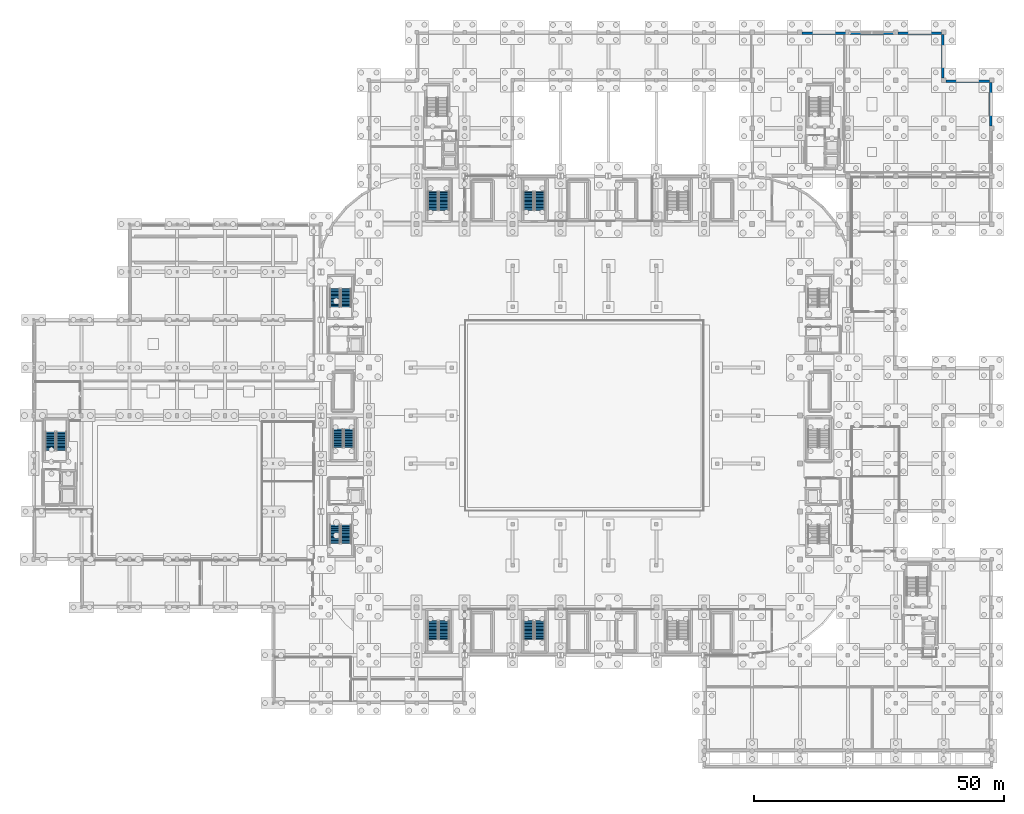
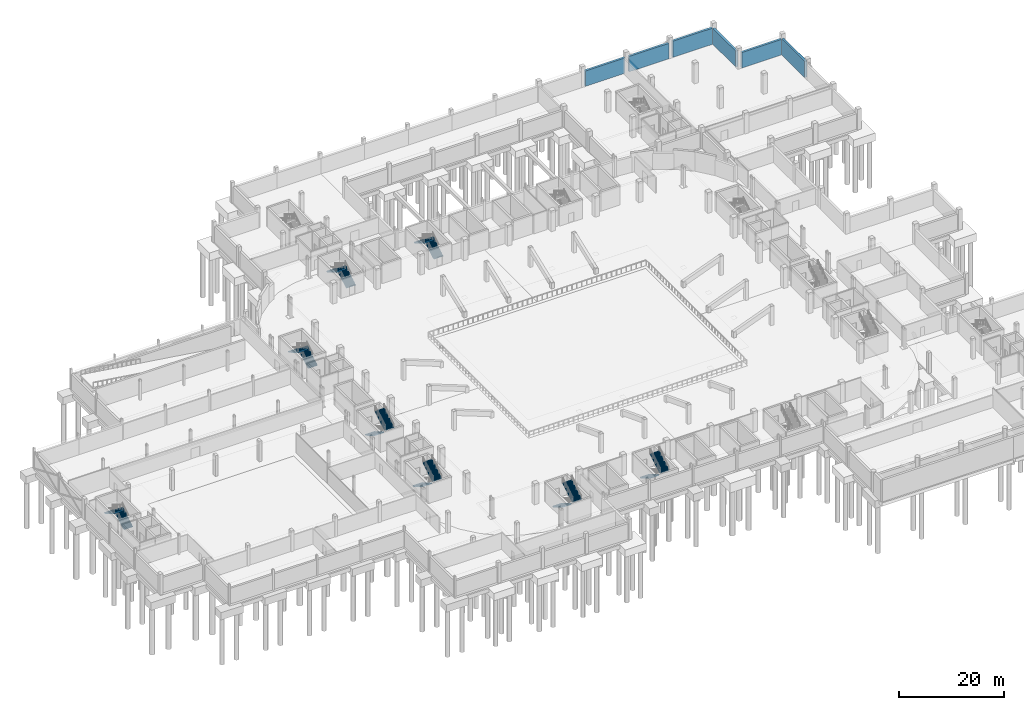
# One storey, part 37 of 67: 16 stair flights, 6 walls, 8 elements without a shape of their own.
"""IFC4 building model written with IfcOpenShell, lengths in metres."""

from ifc_helpers import new_model, si_unit, direction, frame, frame_2d, origin, place, context, subcontext, project, spatial, polyline, rectangle, outline, extrude, material, layer, layer_set, type_object, element, aggregate, save


model = new_model("IFC4")

# Units and contexts
model_context = context("Model", 3, precision=1e-05, world=origin(), true_north=direction((0.0, 1.0)))
body_context = subcontext(model_context, "Body", "Model", "MODEL_VIEW")
ifc_project = project(units=[si_unit("LENGTHUNIT", "METRE"), si_unit("AREAUNIT", "SQUARE_METRE"), si_unit("VOLUMEUNIT", "CUBIC_METRE"), si_unit("PLANEANGLEUNIT", "RADIAN"), si_unit("MASSUNIT", "GRAM", prefix="KILO")], contexts=[model_context])

# Site, building, storey
site_placement = place(None, origin())
site = spatial("IfcSite", under=ifc_project, at=site_placement, CompositionType="ELEMENT")
building_placement = place(site_placement, origin())
building = spatial("IfcBuilding", under=site, at=building_placement, Name="Caelomonte Colonnade Arena", CompositionType="ELEMENT")
storey_placement = place(building_placement, frame((0.0, 0.0, -4.800048828125)))
storey = spatial("IfcBuildingStorey", under=building, at=storey_placement, Name="B1", CompositionType="ELEMENT", Elevation=-4.800048828125)

# Walls
ifc_material = material(Name="Concrete C40/50", Category="concrete")
ifc_layer = layer(ifc_material, 0.47998046875)
ifc_layer_set = layer_set([ifc_layer], Name="Concrete C40/50")
wall_type = type_object("IfcWallType", Name="ENV-WL-RET48", PredefinedType="USERDEFINED", material=ifc_layer_set)
wall_1_placement = place(storey_placement, frame((191.820068359375, 125.22998046875, 0.0), z_axis=(0.0, 0.0, 1.0), x_axis=(0.0, 1.0, 0.0)))
element("IfcWall", 1, at=wall_1_placement, inside=storey, type_object=wall_type, Name="B1 exterior retaining plinth wall EW-B1-0046", ObjectType="RETAINING WALL", PredefinedType="USERDEFINED", context=body_context, shape_type="SweptSolid", body=[
    extrude(rectangle(XDim=8.739990234375, YDim=0.47998046875, at=frame_2d((4.3701171875, 0.0))), origin(), (0.0, 0.0, 1.0), 3.75),
])
wall_2_placement = place(storey_placement, frame((191.570068359375, 134.219970703125, 0.0), z_axis=(0.0, 0.0, 1.0), x_axis=(-1.0, 0.0, 0.0)))
element("IfcWall", 2, at=wall_2_placement, inside=storey, type_object=wall_type, Name="B1 exterior retaining plinth wall EW-B1-0047", ObjectType="RETAINING WALL", PredefinedType="USERDEFINED", context=body_context, shape_type="SweptSolid", body=[
    extrude(rectangle(XDim=8.739990234375, YDim=0.47998046875, at=frame_2d((4.3701171875, 0.0))), origin(), (0.0, 0.0, 1.0), 3.60009765625),
])
wall_3_placement = place(storey_placement, frame((182.219970703125, 134.830078125, 0.0), z_axis=(0.0, 0.0, 1.0), x_axis=(0.0, 1.0, 0.0)))
element("IfcWall", 3, at=wall_3_placement, inside=storey, type_object=wall_type, Name="B1 exterior retaining plinth wall EW-B1-0048", ObjectType="RETAINING WALL", PredefinedType="USERDEFINED", context=body_context, shape_type="SweptSolid", body=[
    extrude(rectangle(XDim=8.739990234375, YDim=0.47998046875, at=frame_2d((4.3701171875, 0.0))), origin(), (0.0, 0.0, 1.0), 3.699951171875),
])
wall_4_placement = place(storey_placement, frame((181.969970703125, 143.820068359375, 0.0), z_axis=(0.0, 0.0, 1.0), x_axis=(-1.0, 0.0, 0.0)))
element("IfcWall", 4, at=wall_4_placement, inside=storey, type_object=wall_type, Name="B1 exterior retaining plinth wall EW-B1-0049", ObjectType="RETAINING WALL", PredefinedType="USERDEFINED", context=body_context, shape_type="SweptSolid", body=[
    extrude(rectangle(XDim=8.739990234375, YDim=0.47998046875, at=frame_2d((4.3701171875, 0.0))), origin(), (0.0, 0.0, 1.0), 3.75),
])
wall_5_placement = place(storey_placement, frame((172.3701171875, 143.820068359375, 0.0), z_axis=(0.0, 0.0, 1.0), x_axis=(-1.0, 0.0, 0.0)))
element("IfcWall", 5, at=wall_5_placement, inside=storey, type_object=wall_type, Name="B1 exterior retaining plinth wall EW-B1-0050", ObjectType="RETAINING WALL", PredefinedType="USERDEFINED", context=body_context, shape_type="SweptSolid", body=[
    extrude(rectangle(XDim=8.740234375, YDim=0.47998046875, at=frame_2d((4.3701171875, 0.0))), origin(), (0.0, 0.0, 1.0), 3.572998046875),
])
wall_6_placement = place(storey_placement, frame((162.77001953125, 143.820068359375, 0.0), z_axis=(0.0, 0.0, 1.0), x_axis=(-1.0, 0.0, 0.0)))
element("IfcWall", 6, at=wall_6_placement, inside=storey, type_object=wall_type, Name="B1 exterior retaining plinth wall EW-B1-0051", ObjectType="RETAINING WALL", PredefinedType="USERDEFINED", context=body_context, shape_type="SweptSolid", body=[
    extrude(rectangle(XDim=8.739990234375, YDim=0.47998046875, at=frame_2d((4.3701171875, 0.0))), origin(), (0.0, 0.0, 1.0), 3.572998046875),
])

# Stair, stair flights
stair_type_1 = type_object("IfcStairType", Name="INT-ST-CORE48", PredefinedType="HALF_TURN_STAIR", material=ifc_material)
stair_1_placement = place(storey_placement, origin())
stair_1 = element("IfcStair", 7, at=stair_1_placement, inside=storey, type_object=stair_type_1, Name="B1 Protected exit stair ST-09", PredefinedType="HALF_TURN_STAIR")
stair_flight_type_1 = type_object("IfcStairFlightType", Name="INT-SF-CORE48", PredefinedType="STRAIGHT", material=ifc_material)
stair_flight_1_placement = place(storey_placement, frame((61.02490234375, 64.5, 0.0), z_axis=(0.0, 0.0, 1.0), x_axis=(0.0, -1.0, 0.0)))
stair_flight_1 = element("IfcStairFlight", 8, at=stair_flight_1_placement, type_object=stair_flight_type_1, Name="ST-09 flight 1", NumberOfRisers=14, NumberOfTreads=13, PredefinedType="STRAIGHT", RiserHeight=0.171428571, TreadLength=0.285, context=body_context, shape_type="SweptSolid", body=[
    extrude(outline(polyline([(-0.02490234375, 0.0), (-0.02490234375, 0.102783203125), (0.0, 0.102783203125), (0.0, 0.17138671875), (0.284912109375, 0.17138671875), (0.284912109375, 0.3427734375), (0.570068359375, 0.3427734375), (0.570068359375, 0.514404296875), (0.85498046875, 0.514404296875), (0.85498046875, 0.685791015625), (1.139892578125, 0.685791015625), (1.139892578125, 0.857177734375), (1.425048828125, 0.857177734375), (1.425048828125, 1.028564453125), (1.7099609375, 1.028564453125), (1.7099609375, 1.199951171875), (1.9951171875, 1.199951171875), (1.9951171875, 1.371337890625), (2.280029296875, 1.371337890625), (2.280029296875, 1.54296875), (2.56494140625, 1.54296875), (2.56494140625, 1.71435546875), (2.85009765625, 1.71435546875), (2.85009765625, 1.8857421875), (3.135009765625, 1.8857421875), (3.135009765625, 2.05712890625), (3.419921875, 2.05712890625), (3.419921875, 2.228515625), (3.705078125, 2.228515625), (3.705078125, 2.39990234375), (3.72998046875, 2.39990234375), (3.72998046875, 2.0537109375), (0.290771484375, 0.0), (-0.02490234375, 0.0)])), frame((0.0, 1.02490234375, 0.0), z_axis=(0.0, -1.0, 0.0), x_axis=(1.0, 0.0, 0.0)), (0.0, 0.0, 1.0), 2.050048828125),
])
stair_flight_2_placement = place(storey_placement, frame((63.27490234375, 60.794921875, 2.400146484375), z_axis=(0.0, 0.0, 1.0), x_axis=(0.0, 1.0, 0.0)))
stair_flight_2 = element("IfcStairFlight", 9, at=stair_flight_2_placement, type_object=stair_flight_type_1, Name="ST-09 flight 2", NumberOfRisers=14, NumberOfTreads=13, PredefinedType="STRAIGHT", RiserHeight=0.171428571, TreadLength=0.285, context=body_context, shape_type="SweptSolid", body=[
    extrude(outline(polyline([(-0.02490234375, 0.0), (-0.02490234375, 0.102783203125), (0.0, 0.102783203125), (0.0, 0.17138671875), (0.284912109375, 0.17138671875), (0.284912109375, 0.3427734375), (0.570068359375, 0.3427734375), (0.570068359375, 0.514404296875), (0.85498046875, 0.514404296875), (0.85498046875, 0.685791015625), (1.139892578125, 0.685791015625), (1.139892578125, 0.857177734375), (1.425048828125, 0.857177734375), (1.425048828125, 1.028564453125), (1.7099609375, 1.028564453125), (1.7099609375, 1.199951171875), (1.9951171875, 1.199951171875), (1.9951171875, 1.371337890625), (2.280029296875, 1.371337890625), (2.280029296875, 1.54296875), (2.56494140625, 1.54296875), (2.56494140625, 1.71435546875), (2.85009765625, 1.71435546875), (2.85009765625, 1.8857421875), (3.135009765625, 1.8857421875), (3.135009765625, 2.05712890625), (3.419921875, 2.05712890625), (3.419921875, 2.228515625), (3.705078125, 2.228515625), (3.705078125, 2.39990234375), (3.72998046875, 2.39990234375), (3.72998046875, 2.0537109375), (0.290771484375, 0.0), (-0.02490234375, 0.0)])), frame((0.0, 1.02490234375, 0.0), z_axis=(0.0, -1.0, 0.0), x_axis=(1.0, 0.0, 0.0)), (0.0, 0.0, 1.0), 2.050048828125),
])
aggregate(stair_1, [stair_flight_1, stair_flight_2])

stair_2_placement = place(storey_placement, origin())
stair_2 = element("IfcStair", 10, at=stair_2_placement, inside=storey, type_object=stair_type_1, Name="B1 Protected exit stair ST-11", PredefinedType="HALF_TURN_STAIR")
stair_flight_3_placement = place(storey_placement, frame((80.02490234375, 26.10009765625, 0.0), z_axis=(0.0, 0.0, 1.0), x_axis=(0.0, -1.0, 0.0)))
stair_flight_3 = element("IfcStairFlight", 11, at=stair_flight_3_placement, type_object=stair_flight_type_1, Name="ST-11 flight 1", NumberOfRisers=14, NumberOfTreads=13, PredefinedType="STRAIGHT", RiserHeight=0.171428571, TreadLength=0.285, context=body_context, shape_type="SweptSolid", body=[
    extrude(outline(polyline([(-0.02490234375, 0.0), (-0.02490234375, 0.102783203125), (0.0, 0.102783203125), (0.0, 0.17138671875), (0.284912109375, 0.17138671875), (0.284912109375, 0.3427734375), (0.570068359375, 0.3427734375), (0.570068359375, 0.514404296875), (0.85498046875, 0.514404296875), (0.85498046875, 0.685791015625), (1.139892578125, 0.685791015625), (1.139892578125, 0.857177734375), (1.425048828125, 0.857177734375), (1.425048828125, 1.028564453125), (1.7099609375, 1.028564453125), (1.7099609375, 1.199951171875), (1.9951171875, 1.199951171875), (1.9951171875, 1.371337890625), (2.280029296875, 1.371337890625), (2.280029296875, 1.54296875), (2.56494140625, 1.54296875), (2.56494140625, 1.71435546875), (2.85009765625, 1.71435546875), (2.85009765625, 1.8857421875), (3.135009765625, 1.8857421875), (3.135009765625, 2.05712890625), (3.419921875, 2.05712890625), (3.419921875, 2.228515625), (3.705078125, 2.228515625), (3.705078125, 2.39990234375), (3.72998046875, 2.39990234375), (3.72998046875, 2.0537109375), (0.290771484375, 0.0), (-0.02490234375, 0.0)])), frame((0.0, 1.02490234375, 0.0), z_axis=(0.0, -1.0, 0.0), x_axis=(1.0, 0.0, 0.0)), (0.0, 0.0, 1.0), 2.050048828125),
])
stair_flight_4_placement = place(storey_placement, frame((82.27490234375, 22.39501953125, 2.400146484375), z_axis=(0.0, 0.0, 1.0), x_axis=(0.0, 1.0, 0.0)))
stair_flight_4 = element("IfcStairFlight", 12, at=stair_flight_4_placement, type_object=stair_flight_type_1, Name="ST-11 flight 2", NumberOfRisers=14, NumberOfTreads=13, PredefinedType="STRAIGHT", RiserHeight=0.171428571, TreadLength=0.285, context=body_context, shape_type="SweptSolid", body=[
    extrude(outline(polyline([(-0.02490234375, 0.0), (-0.02490234375, 0.102783203125), (0.0, 0.102783203125), (0.0, 0.17138671875), (0.284912109375, 0.17138671875), (0.284912109375, 0.3427734375), (0.570068359375, 0.3427734375), (0.570068359375, 0.514404296875), (0.85498046875, 0.514404296875), (0.85498046875, 0.685791015625), (1.139892578125, 0.685791015625), (1.139892578125, 0.857177734375), (1.425048828125, 0.857177734375), (1.425048828125, 1.028564453125), (1.7099609375, 1.028564453125), (1.7099609375, 1.199951171875), (1.9951171875, 1.199951171875), (1.9951171875, 1.371337890625), (2.280029296875, 1.371337890625), (2.280029296875, 1.54296875), (2.56494140625, 1.54296875), (2.56494140625, 1.71435546875), (2.85009765625, 1.71435546875), (2.85009765625, 1.8857421875), (3.135009765625, 1.8857421875), (3.135009765625, 2.05712890625), (3.419921875, 2.05712890625), (3.419921875, 2.228515625), (3.705078125, 2.228515625), (3.705078125, 2.39990234375), (3.72998046875, 2.39990234375), (3.72998046875, 2.0537109375), (0.290771484375, 0.0), (-0.02490234375, 0.0)])), frame((0.0, 1.02490234375, 0.0), z_axis=(0.0, -1.0, 0.0), x_axis=(1.0, 0.0, 0.0)), (0.0, 0.0, 1.0), 2.050048828125),
])
aggregate(stair_2, [stair_flight_3, stair_flight_4])

stair_3_placement = place(storey_placement, origin())
stair_3 = element("IfcStair", 13, at=stair_3_placement, inside=storey, type_object=stair_type_1, Name="B1 Protected exit stair ST-12", PredefinedType="HALF_TURN_STAIR")
stair_flight_5_placement = place(storey_placement, frame((99.22509765625, 26.10009765625, 0.0), z_axis=(0.0, 0.0, 1.0), x_axis=(0.0, -1.0, 0.0)))
stair_flight_5 = element("IfcStairFlight", 14, at=stair_flight_5_placement, type_object=stair_flight_type_1, Name="ST-12 flight 1", NumberOfRisers=14, NumberOfTreads=13, PredefinedType="STRAIGHT", RiserHeight=0.171428571, TreadLength=0.285, context=body_context, shape_type="SweptSolid", body=[
    extrude(outline(polyline([(-0.02490234375, 0.0), (-0.02490234375, 0.102783203125), (0.0, 0.102783203125), (0.0, 0.17138671875), (0.284912109375, 0.17138671875), (0.284912109375, 0.3427734375), (0.570068359375, 0.3427734375), (0.570068359375, 0.514404296875), (0.85498046875, 0.514404296875), (0.85498046875, 0.685791015625), (1.139892578125, 0.685791015625), (1.139892578125, 0.857177734375), (1.425048828125, 0.857177734375), (1.425048828125, 1.028564453125), (1.7099609375, 1.028564453125), (1.7099609375, 1.199951171875), (1.9951171875, 1.199951171875), (1.9951171875, 1.371337890625), (2.280029296875, 1.371337890625), (2.280029296875, 1.54296875), (2.56494140625, 1.54296875), (2.56494140625, 1.71435546875), (2.85009765625, 1.71435546875), (2.85009765625, 1.8857421875), (3.135009765625, 1.8857421875), (3.135009765625, 2.05712890625), (3.419921875, 2.05712890625), (3.419921875, 2.228515625), (3.705078125, 2.228515625), (3.705078125, 2.39990234375), (3.72998046875, 2.39990234375), (3.72998046875, 2.0537109375), (0.290771484375, 0.0), (-0.02490234375, 0.0)])), frame((0.0, 1.02490234375, 0.0), z_axis=(0.0, -1.0, 0.0), x_axis=(1.0, 0.0, 0.0)), (0.0, 0.0, 1.0), 2.050048828125),
])
stair_flight_6_placement = place(storey_placement, frame((101.47509765625, 22.39501953125, 2.400146484375), z_axis=(0.0, 0.0, 1.0), x_axis=(0.0, 1.0, 0.0)))
stair_flight_6 = element("IfcStairFlight", 15, at=stair_flight_6_placement, type_object=stair_flight_type_1, Name="ST-12 flight 2", NumberOfRisers=14, NumberOfTreads=13, PredefinedType="STRAIGHT", RiserHeight=0.171428571, TreadLength=0.285, context=body_context, shape_type="SweptSolid", body=[
    extrude(outline(polyline([(-0.02490234375, 0.0), (-0.02490234375, 0.102783203125), (0.0, 0.102783203125), (0.0, 0.17138671875), (0.284912109375, 0.17138671875), (0.284912109375, 0.3427734375), (0.570068359375, 0.3427734375), (0.570068359375, 0.514404296875), (0.85498046875, 0.514404296875), (0.85498046875, 0.685791015625), (1.139892578125, 0.685791015625), (1.139892578125, 0.857177734375), (1.425048828125, 0.857177734375), (1.425048828125, 1.028564453125), (1.7099609375, 1.028564453125), (1.7099609375, 1.199951171875), (1.9951171875, 1.199951171875), (1.9951171875, 1.371337890625), (2.280029296875, 1.371337890625), (2.280029296875, 1.54296875), (2.56494140625, 1.54296875), (2.56494140625, 1.71435546875), (2.85009765625, 1.71435546875), (2.85009765625, 1.8857421875), (3.135009765625, 1.8857421875), (3.135009765625, 2.05712890625), (3.419921875, 2.05712890625), (3.419921875, 2.228515625), (3.705078125, 2.228515625), (3.705078125, 2.39990234375), (3.72998046875, 2.39990234375), (3.72998046875, 2.0537109375), (0.290771484375, 0.0), (-0.02490234375, 0.0)])), frame((0.0, 1.02490234375, 0.0), z_axis=(0.0, -1.0, 0.0), x_axis=(1.0, 0.0, 0.0)), (0.0, 0.0, 1.0), 2.050048828125),
])
aggregate(stair_3, [stair_flight_5, stair_flight_6])

stair_4_placement = place(storey_placement, origin())
stair_4 = element("IfcStair", 16, at=stair_4_placement, inside=storey, type_object=stair_type_1, Name="B1 Protected exit stair ST-14", PredefinedType="HALF_TURN_STAIR")
stair_flight_7_placement = place(storey_placement, frame((82.27490234375, 108.35009765625, 0.0), z_axis=(0.0, 0.0, 1.0), x_axis=(0.0, 1.0, 0.0)))
stair_flight_7 = element("IfcStairFlight", 17, at=stair_flight_7_placement, type_object=stair_flight_type_1, Name="ST-14 flight 1", NumberOfRisers=14, NumberOfTreads=13, PredefinedType="STRAIGHT", RiserHeight=0.171428571, TreadLength=0.285, context=body_context, shape_type="SweptSolid", body=[
    extrude(outline(polyline([(-0.02490234375, 0.0), (-0.02490234375, 0.102783203125), (0.0, 0.102783203125), (0.0, 0.17138671875), (0.284912109375, 0.17138671875), (0.284912109375, 0.3427734375), (0.570068359375, 0.3427734375), (0.570068359375, 0.514404296875), (0.85498046875, 0.514404296875), (0.85498046875, 0.685791015625), (1.139892578125, 0.685791015625), (1.139892578125, 0.857177734375), (1.425048828125, 0.857177734375), (1.425048828125, 1.028564453125), (1.7099609375, 1.028564453125), (1.7099609375, 1.199951171875), (1.9951171875, 1.199951171875), (1.9951171875, 1.371337890625), (2.280029296875, 1.371337890625), (2.280029296875, 1.54296875), (2.56494140625, 1.54296875), (2.56494140625, 1.71435546875), (2.85009765625, 1.71435546875), (2.85009765625, 1.8857421875), (3.135009765625, 1.8857421875), (3.135009765625, 2.05712890625), (3.419921875, 2.05712890625), (3.419921875, 2.228515625), (3.705078125, 2.228515625), (3.705078125, 2.39990234375), (3.72998046875, 2.39990234375), (3.72998046875, 2.0537109375), (0.290771484375, 0.0), (-0.02490234375, 0.0)])), frame((0.0, 1.02490234375, 0.0), z_axis=(0.0, -1.0, 0.0), x_axis=(1.0, 0.0, 0.0)), (0.0, 0.0, 1.0), 2.050048828125),
])
stair_flight_8_placement = place(storey_placement, frame((80.02490234375, 112.054931640625, 2.400146484375), z_axis=(0.0, 0.0, 1.0), x_axis=(0.0, -1.0, 0.0)))
stair_flight_8 = element("IfcStairFlight", 18, at=stair_flight_8_placement, type_object=stair_flight_type_1, Name="ST-14 flight 2", NumberOfRisers=14, NumberOfTreads=13, PredefinedType="STRAIGHT", RiserHeight=0.171428571, TreadLength=0.285, context=body_context, shape_type="SweptSolid", body=[
    extrude(outline(polyline([(-0.02490234375, 0.0), (-0.02490234375, 0.102783203125), (0.0, 0.102783203125), (0.0, 0.17138671875), (0.284912109375, 0.17138671875), (0.284912109375, 0.3427734375), (0.570068359375, 0.3427734375), (0.570068359375, 0.514404296875), (0.85498046875, 0.514404296875), (0.85498046875, 0.685791015625), (1.139892578125, 0.685791015625), (1.139892578125, 0.857177734375), (1.425048828125, 0.857177734375), (1.425048828125, 1.028564453125), (1.7099609375, 1.028564453125), (1.7099609375, 1.199951171875), (1.9951171875, 1.199951171875), (1.9951171875, 1.371337890625), (2.280029296875, 1.371337890625), (2.280029296875, 1.54296875), (2.56494140625, 1.54296875), (2.56494140625, 1.71435546875), (2.85009765625, 1.71435546875), (2.85009765625, 1.8857421875), (3.135009765625, 1.8857421875), (3.135009765625, 2.05712890625), (3.419921875, 2.05712890625), (3.419921875, 2.228515625), (3.705078125, 2.228515625), (3.705078125, 2.39990234375), (3.72998046875, 2.39990234375), (3.72998046875, 2.0537109375), (0.290771484375, 0.0), (-0.02490234375, 0.0)])), frame((0.0, 1.02490234375, 0.0), z_axis=(0.0, -1.0, 0.0), x_axis=(1.0, 0.0, 0.0)), (0.0, 0.0, 1.0), 2.050048828125),
])
aggregate(stair_4, [stair_flight_7, stair_flight_8])

stair_5_placement = place(storey_placement, origin())
stair_5 = element("IfcStair", 19, at=stair_5_placement, inside=storey, type_object=stair_type_1, Name="B1 Protected exit stair ST-15", PredefinedType="HALF_TURN_STAIR")
stair_flight_9_placement = place(storey_placement, frame((101.47509765625, 108.35009765625, 0.0), z_axis=(0.0, 0.0, 1.0), x_axis=(0.0, 1.0, 0.0)))
stair_flight_9 = element("IfcStairFlight", 20, at=stair_flight_9_placement, type_object=stair_flight_type_1, Name="ST-15 flight 1", NumberOfRisers=14, NumberOfTreads=13, PredefinedType="STRAIGHT", RiserHeight=0.171428571, TreadLength=0.285, context=body_context, shape_type="SweptSolid", body=[
    extrude(outline(polyline([(-0.02490234375, 0.0), (-0.02490234375, 0.102783203125), (0.0, 0.102783203125), (0.0, 0.17138671875), (0.284912109375, 0.17138671875), (0.284912109375, 0.3427734375), (0.570068359375, 0.3427734375), (0.570068359375, 0.514404296875), (0.85498046875, 0.514404296875), (0.85498046875, 0.685791015625), (1.139892578125, 0.685791015625), (1.139892578125, 0.857177734375), (1.425048828125, 0.857177734375), (1.425048828125, 1.028564453125), (1.7099609375, 1.028564453125), (1.7099609375, 1.199951171875), (1.9951171875, 1.199951171875), (1.9951171875, 1.371337890625), (2.280029296875, 1.371337890625), (2.280029296875, 1.54296875), (2.56494140625, 1.54296875), (2.56494140625, 1.71435546875), (2.85009765625, 1.71435546875), (2.85009765625, 1.8857421875), (3.135009765625, 1.8857421875), (3.135009765625, 2.05712890625), (3.419921875, 2.05712890625), (3.419921875, 2.228515625), (3.705078125, 2.228515625), (3.705078125, 2.39990234375), (3.72998046875, 2.39990234375), (3.72998046875, 2.0537109375), (0.290771484375, 0.0), (-0.02490234375, 0.0)])), frame((0.0, 1.02490234375, 0.0), z_axis=(0.0, -1.0, 0.0), x_axis=(1.0, 0.0, 0.0)), (0.0, 0.0, 1.0), 2.050048828125),
])
stair_flight_10_placement = place(storey_placement, frame((99.22509765625, 112.054931640625, 2.400146484375), z_axis=(0.0, 0.0, 1.0), x_axis=(0.0, -1.0, 0.0)))
stair_flight_10 = element("IfcStairFlight", 21, at=stair_flight_10_placement, type_object=stair_flight_type_1, Name="ST-15 flight 2", NumberOfRisers=14, NumberOfTreads=13, PredefinedType="STRAIGHT", RiserHeight=0.171428571, TreadLength=0.285, context=body_context, shape_type="SweptSolid", body=[
    extrude(outline(polyline([(-0.02490234375, 0.0), (-0.02490234375, 0.102783203125), (0.0, 0.102783203125), (0.0, 0.17138671875), (0.284912109375, 0.17138671875), (0.284912109375, 0.3427734375), (0.570068359375, 0.3427734375), (0.570068359375, 0.514404296875), (0.85498046875, 0.514404296875), (0.85498046875, 0.685791015625), (1.139892578125, 0.685791015625), (1.139892578125, 0.857177734375), (1.425048828125, 0.857177734375), (1.425048828125, 1.028564453125), (1.7099609375, 1.028564453125), (1.7099609375, 1.199951171875), (1.9951171875, 1.199951171875), (1.9951171875, 1.371337890625), (2.280029296875, 1.371337890625), (2.280029296875, 1.54296875), (2.56494140625, 1.54296875), (2.56494140625, 1.71435546875), (2.85009765625, 1.71435546875), (2.85009765625, 1.8857421875), (3.135009765625, 1.8857421875), (3.135009765625, 2.05712890625), (3.419921875, 2.05712890625), (3.419921875, 2.228515625), (3.705078125, 2.228515625), (3.705078125, 2.39990234375), (3.72998046875, 2.39990234375), (3.72998046875, 2.0537109375), (0.290771484375, 0.0), (-0.02490234375, 0.0)])), frame((0.0, 1.02490234375, 0.0), z_axis=(0.0, -1.0, 0.0), x_axis=(1.0, 0.0, 0.0)), (0.0, 0.0, 1.0), 2.050048828125),
])
aggregate(stair_5, [stair_flight_9, stair_flight_10])

stair_type_2 = type_object("IfcStairType", Name="INT-ST-WING48", PredefinedType="HALF_TURN_STAIR", material=ifc_material)
stair_6_placement = place(storey_placement, origin())
stair_6 = element("IfcStair", 22, at=stair_6_placement, inside=storey, type_object=stair_type_2, Name="B1 Core C1 exit stair ST-01", PredefinedType="HALF_TURN_STAIR")
stair_flight_type_2 = type_object("IfcStairFlightType", Name="INT-SF-WING48", PredefinedType="STRAIGHT", material=ifc_material)
stair_flight_11_placement = place(storey_placement, frame((60.425048828125, 45.300048828125, 0.0), z_axis=(0.0, 0.0, 1.0), x_axis=(0.0, -1.0, 0.0)))
stair_flight_11 = element("IfcStairFlight", 23, at=stair_flight_11_placement, type_object=stair_flight_type_2, Name="ST-01 flight 1", NumberOfRisers=14, NumberOfTreads=13, PredefinedType="STRAIGHT", RiserHeight=0.171428571, TreadLength=0.285, context=body_context, shape_type="SweptSolid", body=[
    extrude(outline(polyline([(-0.02490234375, 0.0), (-0.02490234375, 0.102783203125), (0.0, 0.102783203125), (0.0, 0.17138671875), (0.284912109375, 0.17138671875), (0.284912109375, 0.3427734375), (0.570068359375, 0.3427734375), (0.570068359375, 0.514404296875), (0.85498046875, 0.514404296875), (0.85498046875, 0.685791015625), (1.139892578125, 0.685791015625), (1.139892578125, 0.857177734375), (1.425048828125, 0.857177734375), (1.425048828125, 1.028564453125), (1.7099609375, 1.028564453125), (1.7099609375, 1.199951171875), (1.9951171875, 1.199951171875), (1.9951171875, 1.371337890625), (2.280029296875, 1.371337890625), (2.280029296875, 1.54296875), (2.56494140625, 1.54296875), (2.56494140625, 1.71435546875), (2.85009765625, 1.71435546875), (2.85009765625, 1.8857421875), (3.135009765625, 1.8857421875), (3.135009765625, 2.05712890625), (3.419921875, 2.05712890625), (3.419921875, 2.228515625), (3.705078125, 2.228515625), (3.705078125, 2.39990234375), (3.72998046875, 2.39990234375), (3.72998046875, 2.0537109375), (0.290771484375, 0.0), (-0.02490234375, 0.0)])), frame((0.0, 1.02490234375, 0.0), z_axis=(0.0, -1.0, 0.0), x_axis=(1.0, 0.0, 0.0)), (0.0, 0.0, 1.0), 2.050048828125),
])
stair_flight_12_placement = place(storey_placement, frame((62.675048828125, 41.594970703125, 2.400146484375), z_axis=(0.0, 0.0, 1.0), x_axis=(0.0, 1.0, 0.0)))
stair_flight_12 = element("IfcStairFlight", 24, at=stair_flight_12_placement, type_object=stair_flight_type_2, Name="ST-01 flight 2", NumberOfRisers=14, NumberOfTreads=13, PredefinedType="STRAIGHT", RiserHeight=0.171428571, TreadLength=0.285, context=body_context, shape_type="SweptSolid", body=[
    extrude(outline(polyline([(-0.02490234375, 0.0), (-0.02490234375, 0.102783203125), (0.0, 0.102783203125), (0.0, 0.17138671875), (0.284912109375, 0.17138671875), (0.284912109375, 0.3427734375), (0.570068359375, 0.3427734375), (0.570068359375, 0.514404296875), (0.85498046875, 0.514404296875), (0.85498046875, 0.685791015625), (1.139892578125, 0.685791015625), (1.139892578125, 0.857177734375), (1.425048828125, 0.857177734375), (1.425048828125, 1.028564453125), (1.7099609375, 1.028564453125), (1.7099609375, 1.199951171875), (1.9951171875, 1.199951171875), (1.9951171875, 1.371337890625), (2.280029296875, 1.371337890625), (2.280029296875, 1.54296875), (2.56494140625, 1.54296875), (2.56494140625, 1.71435546875), (2.85009765625, 1.71435546875), (2.85009765625, 1.8857421875), (3.135009765625, 1.8857421875), (3.135009765625, 2.05712890625), (3.419921875, 2.05712890625), (3.419921875, 2.228515625), (3.705078125, 2.228515625), (3.705078125, 2.39990234375), (3.72998046875, 2.39990234375), (3.72998046875, 2.0537109375), (0.290771484375, 0.0), (-0.02490234375, 0.0)])), frame((0.0, 1.02490234375, 0.0), z_axis=(0.0, -1.0, 0.0), x_axis=(1.0, 0.0, 0.0)), (0.0, 0.0, 1.0), 2.050048828125),
])
aggregate(stair_6, [stair_flight_11, stair_flight_12])

stair_7_placement = place(storey_placement, origin())
stair_7 = element("IfcStair", 25, at=stair_7_placement, inside=storey, type_object=stair_type_2, Name="B1 Core C4 exit stair ST-04", PredefinedType="HALF_TURN_STAIR")
stair_flight_13_placement = place(storey_placement, frame((62.675048828125, 88.949951171875, 0.0), z_axis=(0.0, 0.0, 1.0), x_axis=(0.0, 1.0, 0.0)))
stair_flight_13 = element("IfcStairFlight", 26, at=stair_flight_13_placement, type_object=stair_flight_type_2, Name="ST-04 flight 1", NumberOfRisers=14, NumberOfTreads=13, PredefinedType="STRAIGHT", RiserHeight=0.171428571, TreadLength=0.285, context=body_context, shape_type="SweptSolid", body=[
    extrude(outline(polyline([(-0.02490234375, 0.0), (-0.02490234375, 0.102783203125), (0.0, 0.102783203125), (0.0, 0.17138671875), (0.284912109375, 0.17138671875), (0.284912109375, 0.3427734375), (0.570068359375, 0.3427734375), (0.570068359375, 0.514404296875), (0.85498046875, 0.514404296875), (0.85498046875, 0.685791015625), (1.139892578125, 0.685791015625), (1.139892578125, 0.857177734375), (1.425048828125, 0.857177734375), (1.425048828125, 1.028564453125), (1.7099609375, 1.028564453125), (1.7099609375, 1.199951171875), (1.9951171875, 1.199951171875), (1.9951171875, 1.371337890625), (2.280029296875, 1.371337890625), (2.280029296875, 1.54296875), (2.56494140625, 1.54296875), (2.56494140625, 1.71435546875), (2.85009765625, 1.71435546875), (2.85009765625, 1.8857421875), (3.135009765625, 1.8857421875), (3.135009765625, 2.05712890625), (3.419921875, 2.05712890625), (3.419921875, 2.228515625), (3.705078125, 2.228515625), (3.705078125, 2.39990234375), (3.72998046875, 2.39990234375), (3.72998046875, 2.0537109375), (0.290771484375, 0.0), (-0.02490234375, 0.0)])), frame((0.0, 1.02490234375, 0.0), z_axis=(0.0, -1.0, 0.0), x_axis=(1.0, 0.0, 0.0)), (0.0, 0.0, 1.0), 2.050048828125),
])
stair_flight_14_placement = place(storey_placement, frame((60.425048828125, 92.655029296875, 2.400146484375), z_axis=(0.0, 0.0, 1.0), x_axis=(0.0, -1.0, 0.0)))
stair_flight_14 = element("IfcStairFlight", 27, at=stair_flight_14_placement, type_object=stair_flight_type_2, Name="ST-04 flight 2", NumberOfRisers=14, NumberOfTreads=13, PredefinedType="STRAIGHT", RiserHeight=0.171428571, TreadLength=0.285, context=body_context, shape_type="SweptSolid", body=[
    extrude(outline(polyline([(-0.02490234375, 0.0), (-0.02490234375, 0.102783203125), (0.0, 0.102783203125), (0.0, 0.17138671875), (0.284912109375, 0.17138671875), (0.284912109375, 0.3427734375), (0.570068359375, 0.3427734375), (0.570068359375, 0.514404296875), (0.85498046875, 0.514404296875), (0.85498046875, 0.685791015625), (1.139892578125, 0.685791015625), (1.139892578125, 0.857177734375), (1.425048828125, 0.857177734375), (1.425048828125, 1.028564453125), (1.7099609375, 1.028564453125), (1.7099609375, 1.199951171875), (1.9951171875, 1.199951171875), (1.9951171875, 1.371337890625), (2.280029296875, 1.371337890625), (2.280029296875, 1.54296875), (2.56494140625, 1.54296875), (2.56494140625, 1.71435546875), (2.85009765625, 1.71435546875), (2.85009765625, 1.8857421875), (3.135009765625, 1.8857421875), (3.135009765625, 2.05712890625), (3.419921875, 2.05712890625), (3.419921875, 2.228515625), (3.705078125, 2.228515625), (3.705078125, 2.39990234375), (3.72998046875, 2.39990234375), (3.72998046875, 2.0537109375), (0.290771484375, 0.0), (-0.02490234375, 0.0)])), frame((0.0, 1.02490234375, 0.0), z_axis=(0.0, -1.0, 0.0), x_axis=(1.0, 0.0, 0.0)), (0.0, 0.0, 1.0), 2.050048828125),
])
aggregate(stair_7, [stair_flight_13, stair_flight_14])

stair_8_placement = place(storey_placement, origin())
stair_8 = element("IfcStair", 28, at=stair_8_placement, inside=storey, type_object=stair_type_2, Name="B1 Core C8 exit stair ST-08", PredefinedType="HALF_TURN_STAIR")
stair_flight_15_placement = place(storey_placement, frame((5.60009765625, 60.199951171875, 0.0), z_axis=(0.0, 0.0, 1.0), x_axis=(0.0, 1.0, 0.0)))
stair_flight_15 = element("IfcStairFlight", 29, at=stair_flight_15_placement, type_object=stair_flight_type_2, Name="ST-08 flight 1", NumberOfRisers=14, NumberOfTreads=13, PredefinedType="STRAIGHT", RiserHeight=0.171428571, TreadLength=0.285, context=body_context, shape_type="SweptSolid", body=[
    extrude(outline(polyline([(-0.02490234375, 0.0), (-0.02490234375, 0.102783203125), (0.0, 0.102783203125), (0.0, 0.17138671875), (0.284912109375, 0.17138671875), (0.284912109375, 0.3427734375), (0.570068359375, 0.3427734375), (0.570068359375, 0.514404296875), (0.85498046875, 0.514404296875), (0.85498046875, 0.685791015625), (1.139892578125, 0.685791015625), (1.139892578125, 0.857177734375), (1.425048828125, 0.857177734375), (1.425048828125, 1.028564453125), (1.7099609375, 1.028564453125), (1.7099609375, 1.199951171875), (1.9951171875, 1.199951171875), (1.9951171875, 1.371337890625), (2.280029296875, 1.371337890625), (2.280029296875, 1.54296875), (2.56494140625, 1.54296875), (2.56494140625, 1.71435546875), (2.85009765625, 1.71435546875), (2.85009765625, 1.8857421875), (3.135009765625, 1.8857421875), (3.135009765625, 2.05712890625), (3.419921875, 2.05712890625), (3.419921875, 2.228515625), (3.705078125, 2.228515625), (3.705078125, 2.39990234375), (3.72998046875, 2.39990234375), (3.72998046875, 2.0537109375), (0.290771484375, 0.0), (-0.02490234375, 0.0)])), frame((0.0, 1.0, 0.0), z_axis=(0.0, -1.0, 0.0), x_axis=(1.0, 0.0, 0.0)), (0.0, 0.0, 1.0), 2.0),
])
stair_flight_16_placement = place(storey_placement, frame((3.39990234375, 63.905029296875, 2.400146484375), z_axis=(0.0, 0.0, 1.0), x_axis=(0.0, -1.0, 0.0)))
stair_flight_16 = element("IfcStairFlight", 30, at=stair_flight_16_placement, type_object=stair_flight_type_2, Name="ST-08 flight 2", NumberOfRisers=14, NumberOfTreads=13, PredefinedType="STRAIGHT", RiserHeight=0.171428571, TreadLength=0.285, context=body_context, shape_type="SweptSolid", body=[
    extrude(outline(polyline([(-0.02490234375, 0.0), (-0.02490234375, 0.102783203125), (0.0, 0.102783203125), (0.0, 0.17138671875), (0.284912109375, 0.17138671875), (0.284912109375, 0.3427734375), (0.570068359375, 0.3427734375), (0.570068359375, 0.514404296875), (0.85498046875, 0.514404296875), (0.85498046875, 0.685791015625), (1.139892578125, 0.685791015625), (1.139892578125, 0.857177734375), (1.425048828125, 0.857177734375), (1.425048828125, 1.028564453125), (1.7099609375, 1.028564453125), (1.7099609375, 1.199951171875), (1.9951171875, 1.199951171875), (1.9951171875, 1.371337890625), (2.280029296875, 1.371337890625), (2.280029296875, 1.54296875), (2.56494140625, 1.54296875), (2.56494140625, 1.71435546875), (2.85009765625, 1.71435546875), (2.85009765625, 1.8857421875), (3.135009765625, 1.8857421875), (3.135009765625, 2.05712890625), (3.419921875, 2.05712890625), (3.419921875, 2.228515625), (3.705078125, 2.228515625), (3.705078125, 2.39990234375), (3.72998046875, 2.39990234375), (3.72998046875, 2.0537109375), (0.290771484375, 0.0), (-0.02490234375, 0.0)])), frame((0.0, 1.0, 0.0), z_axis=(0.0, -1.0, 0.0), x_axis=(1.0, 0.0, 0.0)), (0.0, 0.0, 1.0), 2.0),
])
aggregate(stair_8, [stair_flight_15, stair_flight_16])

save(model, "model.ifc")
